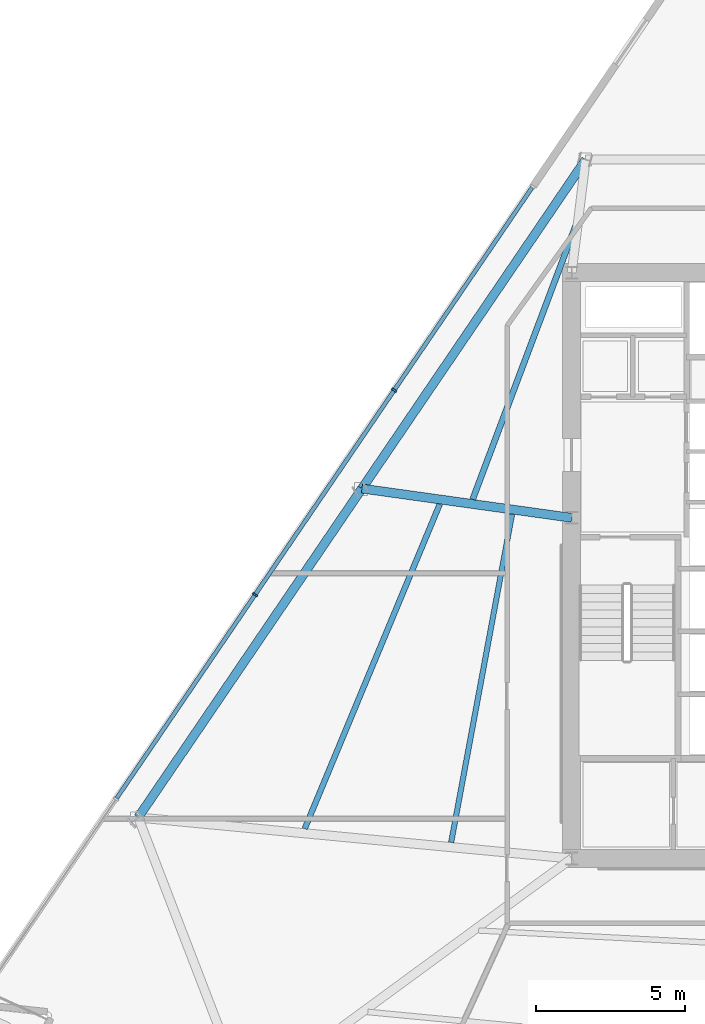
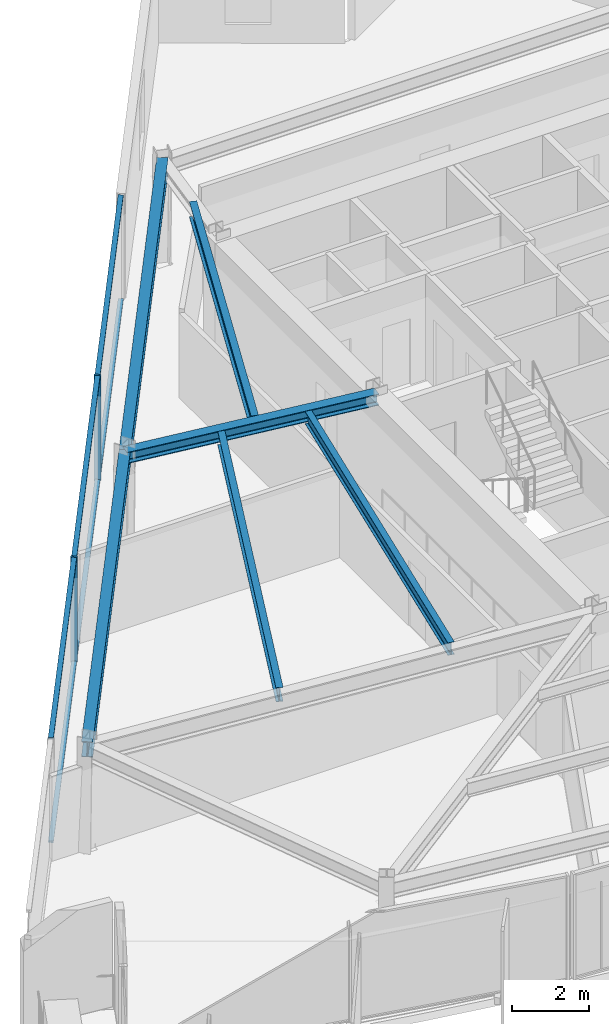
# One storey, part 3 of 15: 8 members, 6 beams, 1 element without a shape of its own.
"""IFC4 building model written with IfcOpenShell, lengths in metres."""

from ifc_helpers import new_model, si_unit, direction, frame, origin, origin_2d, place, context, subcontext, project, spatial, rectangle, i_section, extrude, material, material_profile, profile_set, type_object, element, aggregate, save


model = new_model("IFC4")

# Units and contexts
model_context = context("Model", 3, precision=1e-05, world=origin(), true_north=direction((0.0, 1.0)))
body_context = subcontext(model_context, "Body", "Model", "MODEL_VIEW")
ifc_project = project(units=[si_unit("LENGTHUNIT", "METRE"), si_unit("AREAUNIT", "SQUARE_METRE"), si_unit("VOLUMEUNIT", "CUBIC_METRE"), si_unit("PLANEANGLEUNIT", "RADIAN"), si_unit("MASSUNIT", "GRAM", prefix="KILO")], contexts=[model_context])

# Site, building, storey
site_placement = place(None, origin())
site = spatial("IfcSite", under=ifc_project, at=site_placement, CompositionType="ELEMENT")
building_placement = place(site_placement, origin())
building = spatial("IfcBuilding", under=site, at=building_placement, Name="Savorim Split Tower", CompositionType="ELEMENT")
storey_placement = place(building_placement, frame((0.0, 0.0, 111.300048828125)))
storey = spatial("IfcBuildingStorey", under=building, at=storey_placement, Name="L29", CompositionType="ELEMENT", Elevation=111.300048828125)

# Beams
ifc_material_1 = material(Name="Steel S355", Category="steel")
ifc_material_profile_1 = material_profile(ifc_material_1, i_section(OverallWidth=0.179931640625, OverallDepth=0.39990234375, WebThickness=0.008544921875, FlangeThickness=0.013427734375, FilletRadius=0.02099609375, at=origin_2d()), Name="IPE 400")
ifc_profile_set_1 = profile_set([ifc_material_profile_1], Name="Steel S355")
beam_type_1 = type_object("IfcBeamType", Name="BM-JST-IPE400", PredefinedType="JOIST", material=ifc_profile_set_1)
beam_1_placement = place(storey_placement, frame((-9.69384765625, 2.11669921875, 3.14990234375), z_axis=(-0.182549000717, -0.983196756676, 0.0), x_axis=(0.983196756676, -0.182549000717, 0.0)))
element("IfcBeam", 1, at=beam_1_placement, inside=storey, type_object=beam_type_1, Name="L29 Secondary Floor Joist JS-11", PredefinedType="JOIST", context=body_context, shape_type="SweptSolid", body=[
    extrude(i_section(OverallWidth=0.179931640625, OverallDepth=0.39990234375, WebThickness=0.008544921875, FlangeThickness=0.013427734375, FilletRadius=0.02099609375, at=origin_2d()), origin(), (0.0, 0.0, 1.0), 11.161865234375),
])
ifc_material_profile_2 = material_profile(ifc_material_1, i_section(OverallWidth=0.18994140625, OverallDepth=0.449951171875, WebThickness=0.009521484375, FlangeThickness=0.0146484375, FilletRadius=0.02099609375, at=origin_2d()), Name="IPE 450")
ifc_profile_set_2 = profile_set([ifc_material_profile_2], Name="Steel S355")
beam_type_2 = type_object("IfcBeamType", Name="BM-JST-IPE450", PredefinedType="JOIST", material=ifc_profile_set_2)
beam_2_placement = place(storey_placement, frame((-12.112060546875, 2.458740234375, 3.125), z_axis=(-0.384136290206, -0.923276399865, 0.0), x_axis=(0.923276399865, -0.384136290206, 0.0)))
element("IfcBeam", 2, at=beam_2_placement, inside=storey, type_object=beam_type_2, Name="L29 Secondary Floor Joist JS-10", PredefinedType="JOIST", context=body_context, shape_type="SweptSolid", body=[
    extrude(i_section(OverallWidth=0.18994140625, OverallDepth=0.449951171875, WebThickness=0.009521484375, FlangeThickness=0.0146484375, FilletRadius=0.02099609375, at=origin_2d()), origin(), (0.0, 0.0, 1.0), 11.760986328125),
])
ifc_material_profile_3 = material_profile(ifc_material_1, i_section(OverallWidth=0.199951171875, OverallDepth=0.5, WebThickness=0.01025390625, FlangeThickness=0.01611328125, FilletRadius=0.02099609375, at=origin_2d()), Name="IPE 500")
ifc_profile_set_3 = profile_set([ifc_material_profile_3], Name="Steel S355")
beam_type_3 = type_object("IfcBeamType", Name="BM-JST-IPE500", PredefinedType="JOIST", material=ifc_profile_set_3)
beam_3_placement = place(storey_placement, frame((-7.531494140625, 11.865478515625, 3.099853515625), z_axis=(-0.352271445399, -0.935897873038, 0.0), x_axis=(0.935897873038, -0.352271445399, 0.0)))
element("IfcBeam", 3, at=beam_3_placement, inside=storey, type_object=beam_type_3, Name="L29 Secondary Floor Joist JS-09", PredefinedType="JOIST", context=body_context, shape_type="SweptSolid", body=[
    extrude(i_section(OverallWidth=0.199951171875, OverallDepth=0.5, WebThickness=0.01025390625, FlangeThickness=0.01611328125, FilletRadius=0.02099609375, at=origin_2d()), origin(), (0.0, 0.0, 1.0), 9.87939453125),
])
ifc_material_profile_4 = material_profile(ifc_material_1, i_section(OverallWidth=0.300048828125, OverallDepth=0.360107421875, WebThickness=0.012451171875, FlangeThickness=0.0224609375, FilletRadius=0.027099609375, at=origin_2d()), Name="HEB 360")
ifc_profile_set_4 = profile_set([ifc_material_profile_4], Name="Steel S355")
beam_type_4 = type_object("IfcBeamType", Name="BM-PRI-HEB360", PredefinedType="BEAM", material=ifc_profile_set_4)
beam_4_placement = place(storey_placement, frame((-14.716796875, 2.978271484375, 3.169921875), z_axis=(0.990420793517, -0.138082047236, 0.0), x_axis=(0.138082047236, 0.990420793517, 0.0)))
element("IfcBeam", 4, at=beam_4_placement, inside=storey, type_object=beam_type_4, Name="L29 Primary Floor Girder RG-09", PredefinedType="BEAM", context=body_context, shape_type="SweptSolid", body=[
    extrude(i_section(OverallWidth=0.300048828125, OverallDepth=0.360107421875, WebThickness=0.012451171875, FlangeThickness=0.0224609375, FilletRadius=0.027099609375, at=origin_2d()), origin(), (0.0, 0.0, 1.0), 7.084716796875),
])
ifc_material_profile_5 = material_profile(ifc_material_1, i_section(OverallWidth=0.300048828125, OverallDepth=0.489990234375, WebThickness=0.011962890625, FlangeThickness=0.02294921875, FilletRadius=0.027099609375, at=origin_2d()), Name="HEA 500")
ifc_profile_set_5 = profile_set([ifc_material_profile_5], Name="Steel S355")
beam_type_5 = type_object("IfcBeamType", Name="BM-SPN-HEA500", PredefinedType="SPANDREL", material=ifc_profile_set_5)
beam_5_placement = place(storey_placement, frame((-7.2314453125, 13.981689453125, 3.10498046875), z_axis=(-0.562465564782, -0.826820711179, 0.0), x_axis=(0.826820711179, -0.562465564782, 0.0)))
element("IfcBeam", 5, at=beam_5_placement, inside=storey, type_object=beam_type_5, Name="L29 Perimeter Spandrel Beam 8", PredefinedType="SPANDREL", context=body_context, shape_type="SweptSolid", body=[
    extrude(i_section(OverallWidth=0.300048828125, OverallDepth=0.489990234375, WebThickness=0.011962890625, FlangeThickness=0.02294921875, FilletRadius=0.027099609375, at=origin_2d()), origin(), (0.0, 0.0, 1.0), 13.30810546875),
])
beam_6_placement = place(storey_placement, frame((-14.716796875, 2.978271484375, 3.10498046875), z_axis=(-0.562478106002, -0.82681217956, 0.0), x_axis=(0.82681217956, -0.562478106002, 0.0)))
element("IfcBeam", 6, at=beam_6_placement, inside=storey, type_object=beam_type_5, Name="L29 Perimeter Spandrel Beam 9", PredefinedType="SPANDREL", context=body_context, shape_type="SweptSolid", body=[
    extrude(i_section(OverallWidth=0.300048828125, OverallDepth=0.489990234375, WebThickness=0.011962890625, FlangeThickness=0.02294921875, FilletRadius=0.027099609375, at=origin_2d()), origin(), (0.0, 0.0, 1.0), 13.308349609375),
])

# Curtain wall, members
ifc_material_2 = material(Name="Dark Ceramic-Fritted Insulated Glass", Category="glass")
curtain_wall_type = type_object("IfcCurtainWallType", Name="CW-TWR-FRIT-A", PredefinedType="NOTDEFINED", material=ifc_material_2)
curtain_wall_placement = place(storey_placement, origin())
curtain_wall = element("IfcCurtainWall", 7, at=curtain_wall_placement, inside=storey, type_object=curtain_wall_type, Name="L29 Curtain Wall CW-L29-WEST", PredefinedType="NOTDEFINED")
ifc_material_3 = material(Name="Charcoal Anodised Aluminium", Category="aluminium")
ifc_material_profile_6 = material_profile(ifc_material_3, rectangle(XDim=0.179931640625, YDim=0.06494140625, at=origin_2d()), Name="ALU-M 180x65")
ifc_profile_set_6 = profile_set([ifc_material_profile_6], Name="Charcoal Anodised Aluminium")
member_type_1 = type_object("IfcMemberType", Name="CWM-180x65", PredefinedType="MULLION", material=ifc_profile_set_6)
member_1_placement = place(storey_placement, frame((-13.636474609375, 6.269287109375, 0.0), z_axis=(0.0, 0.0, 1.0), x_axis=(0.826819959579, -0.562466669628, 0.0)))
member_1 = element("IfcMember", 8, at=member_1_placement, type_object=member_type_1, Name="CW-02 mullion 2", PredefinedType="MULLION", context=body_context, shape_type="SweptSolid", body=[
    extrude(rectangle(XDim=0.179931640625, YDim=0.06494140625, at=origin_2d()), origin(), (0.0, 0.0, 1.0), 3.349853515625),
])
member_2_placement = place(storey_placement, frame((-18.288818359375, -0.570068359375, 0.0), z_axis=(0.0, 0.0, 1.0), x_axis=(0.826819959579, -0.562466669628, 0.0)))
member_2 = element("IfcMember", 9, at=member_2_placement, type_object=member_type_1, Name="CW-02 mullion 3", PredefinedType="MULLION", context=body_context, shape_type="SweptSolid", body=[
    extrude(rectangle(XDim=0.179931640625, YDim=0.06494140625, at=origin_2d()), origin(), (0.0, 0.0, 1.0), 3.349853515625),
])
ifc_material_profile_7 = material_profile(ifc_material_3, rectangle(XDim=0.139892578125, YDim=0.054931640625, at=origin_2d()), Name="ALU-T 140x55")
ifc_profile_set_7 = profile_set([ifc_material_profile_7], Name="Charcoal Anodised Aluminium")
member_type_2 = type_object("IfcMemberType", Name="CWT-140x55", PredefinedType="USERDEFINED", material=ifc_profile_set_7)
member_3_placement = place(storey_placement, frame((-9.0205078125, 13.054443359375, 0.02734375), z_axis=(-0.562478304433, -0.826812044568, 0.0), x_axis=(0.826812044568, -0.562478304433, 0.0)))
member_3 = element("IfcMember", 10, at=member_3_placement, type_object=member_type_2, Name="CW-02 transom 1.1", ObjectType="TRANSOM", PredefinedType="USERDEFINED", context=body_context, shape_type="SweptSolid", body=[
    extrude(rectangle(XDim=0.139892578125, YDim=0.054931640625, at=origin_2d()), origin(), (0.0, 0.0, 1.0), 8.173828125),
])
member_4_placement = place(storey_placement, frame((-9.0205078125, 13.054443359375, 3.322509765625), z_axis=(-0.562478304433, -0.826812044568, 0.0), x_axis=(0.826812044568, -0.562478304433, 0.0)))
member_4 = element("IfcMember", 11, at=member_4_placement, type_object=member_type_2, Name="CW-02 transom 1.2", ObjectType="TRANSOM", PredefinedType="USERDEFINED", context=body_context, shape_type="SweptSolid", body=[
    extrude(rectangle(XDim=0.139892578125, YDim=0.054931640625, at=origin_2d()), origin(), (0.0, 0.0, 1.0), 8.173828125),
])
member_5_placement = place(storey_placement, frame((-13.65478515625, 6.2421875, 0.02734375), z_axis=(-0.562461368044, -0.8268235661, 0.0), x_axis=(0.8268235661, -0.562461368044, 0.0)))
member_5 = element("IfcMember", 12, at=member_5_placement, type_object=member_type_2, Name="CW-02 transom 2.1", ObjectType="TRANSOM", PredefinedType="USERDEFINED", context=body_context, shape_type="SweptSolid", body=[
    extrude(rectangle(XDim=0.139892578125, YDim=0.054931640625, at=origin_2d()), origin(), (0.0, 0.0, 1.0), 8.206298828125),
])
member_6_placement = place(storey_placement, frame((-13.65478515625, 6.2421875, 3.322509765625), z_axis=(-0.562461368044, -0.8268235661, 0.0), x_axis=(0.8268235661, -0.562461368044, 0.0)))
member_6 = element("IfcMember", 13, at=member_6_placement, type_object=member_type_2, Name="CW-02 transom 2.2", ObjectType="TRANSOM", PredefinedType="USERDEFINED", context=body_context, shape_type="SweptSolid", body=[
    extrude(rectangle(XDim=0.139892578125, YDim=0.054931640625, at=origin_2d()), origin(), (0.0, 0.0, 1.0), 8.206298828125),
])
member_7_placement = place(storey_placement, frame((-18.30712890625, -0.596923828125, 0.02734375), z_axis=(-0.562467870631, -0.826819142563, 0.0), x_axis=(0.826819142563, -0.562467870631, 0.0)))
member_7 = element("IfcMember", 14, at=member_7_placement, type_object=member_type_2, Name="CW-02 transom 3.1", ObjectType="TRANSOM", PredefinedType="USERDEFINED", context=body_context, shape_type="SweptSolid", body=[
    extrude(rectangle(XDim=0.139892578125, YDim=0.054931640625, at=origin_2d()), origin(), (0.0, 0.0, 1.0), 8.20654296875),
])
member_8_placement = place(storey_placement, frame((-18.30712890625, -0.596923828125, 3.322509765625), z_axis=(-0.562467870631, -0.826819142563, 0.0), x_axis=(0.826819142563, -0.562467870631, 0.0)))
member_8 = element("IfcMember", 15, at=member_8_placement, type_object=member_type_2, Name="CW-02 transom 3.2", ObjectType="TRANSOM", PredefinedType="USERDEFINED", context=body_context, shape_type="SweptSolid", body=[
    extrude(rectangle(XDim=0.139892578125, YDim=0.054931640625, at=origin_2d()), origin(), (0.0, 0.0, 1.0), 8.20654296875),
])
aggregate(curtain_wall, [member_1, member_2, member_3, member_4, member_5, member_6, member_7, member_8])

save(model, "model.ifc")
